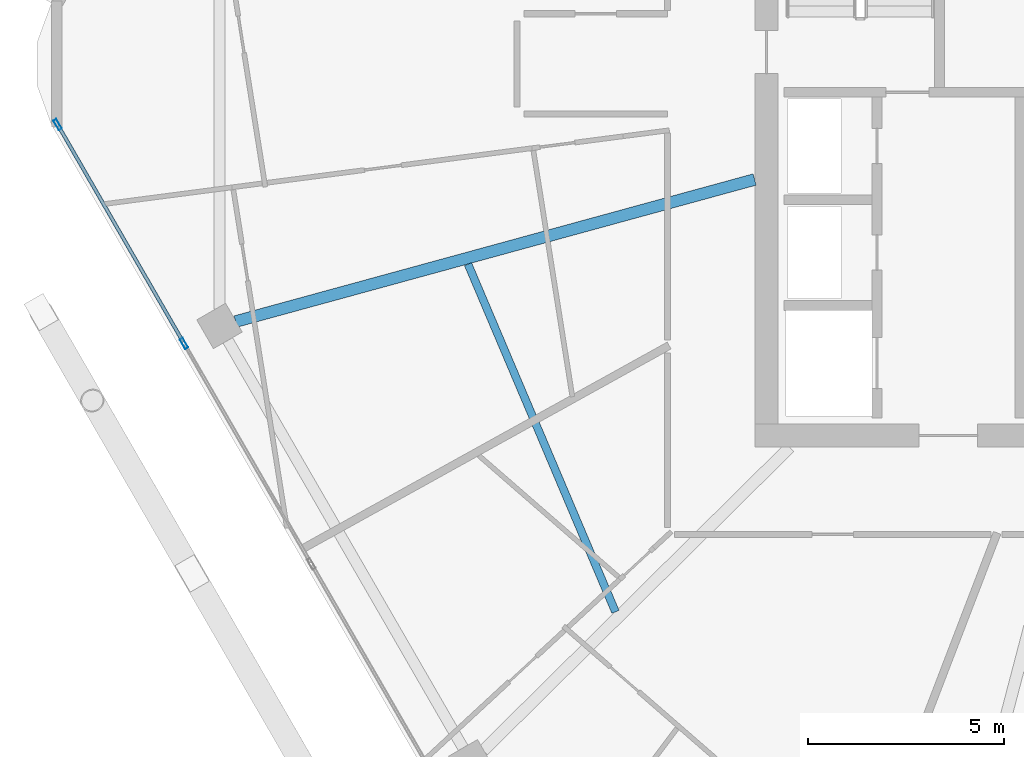
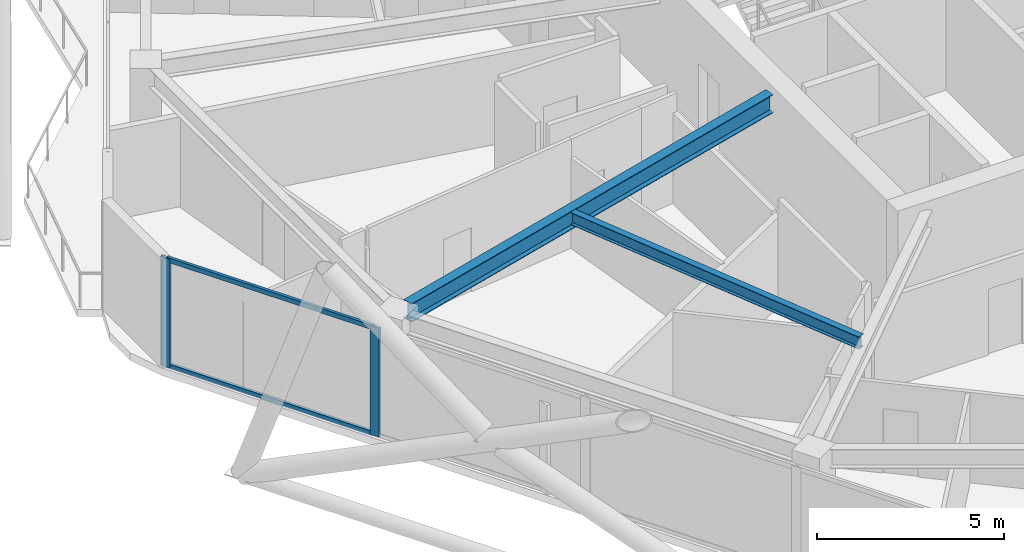
# One storey, part 6 of 29: 4 members, 2 beams, 1 element without a shape of its own.
"""IFC4 building model written with IfcOpenShell, lengths in metres."""

import ifcopenshell
import ifcopenshell.guid

model = None  # the IFC model being written
_history = None  # IfcOwnerHistory: only IFC2X3 demands one
_inside = {}  # id of a spatial element -> (the spatial element, [elements in it])
_under = {}  # id of a project, library or spatial element -> (it, [spatial elements below it])
_declared = {}  # id of a project -> (the project, [libraries it declares])
_typed = {}  # id of a type object -> (the type object, [elements of that type])
_made_of = {}  # id of a material, layer set ... -> (it, [elements and type objects made of it])


def new_model(schema):
    """Start an empty IFC model of exactly this schema.

    Asked for "IFC4X3", IfcOpenShell would pick the latest addendum, in which some entities
    have other attributes; the version numbers below select the first issue.
    IFC2X3 requires an IfcOwnerHistory on every rooted entity: one is made here for all.
    """
    global model, _history
    if schema == "IFC4X3":
        model = ifcopenshell.file(schema_version=(4, 3, 0, 0))
    else:
        model = ifcopenshell.file(schema=schema)
    _inside.clear()
    _under.clear()
    _declared.clear()
    _typed.clear()
    _made_of.clear()
    _history = None
    if model.schema == "IFC2X3":
        org = make("IfcOrganization", Name="unknown")
        user = make(
            "IfcPersonAndOrganization",
            ThePerson=make("IfcPerson", FamilyName="unknown"),
            TheOrganization=org,
        )
        app = make(
            "IfcApplication",
            ApplicationDeveloper=org,
            Version="unknown",
            ApplicationFullName="unknown",
            ApplicationIdentifier="unknown",
        )
        _history = make(
            "IfcOwnerHistory",
            OwningUser=user,
            OwningApplication=app,
            ChangeAction="ADDED",
            CreationDate=0,
        )
    return model


def make(cls, **values):
    """One entity of the class cls with the attributes given. An attribute that is None is left unset."""
    return model.create_entity(
        cls, **{name: value for name, value in values.items() if value is not None}
    )


def rooted(cls, **values):
    """An entity with a GlobalId (a new one), such as an element, a storey or a relation."""
    return make(cls, GlobalId=ifcopenshell.guid.new(), OwnerHistory=_history, **values)


def si_unit(unit_type, name, prefix=None):
    """IfcSIUnit, for example si_unit("LENGTHUNIT", "METRE", prefix="MILLI")."""
    return make("IfcSIUnit", UnitType=unit_type, Prefix=prefix, Name=name)


def assignment(units):
    """IfcUnitAssignment: the units of a project."""
    return None if units is None else make("IfcUnitAssignment", Units=units)


def point(xyz):
    """IfcCartesianPoint."""
    return None if xyz is None else make("IfcCartesianPoint", Coordinates=xyz)


def direction(xyz):
    """IfcDirection."""
    return None if xyz is None else make("IfcDirection", DirectionRatios=xyz)


def frame(location, z_axis=None, x_axis=None):
    """IfcAxis2Placement3D, a coordinate frame: its origin and axes. An axis left out is left unset."""
    return make(
        "IfcAxis2Placement3D",
        Location=point(location),
        Axis=direction(z_axis),
        RefDirection=direction(x_axis),
    )


def frame_2d(location, x_axis=None):
    """IfcAxis2Placement2D, a coordinate frame in the plane: its origin and x axis."""
    return make(
        "IfcAxis2Placement2D", Location=point(location), RefDirection=direction(x_axis)
    )


def origin():
    """The frame at (0, 0, 0) with its axes left unset."""
    return frame((0.0, 0.0, 0.0))


def origin_2d():
    """The frame at (0, 0) in the plane with its x axis left unset."""
    return frame_2d((0.0, 0.0))


def place(relative_to, where):
    """IfcLocalPlacement: puts the frame where relative to a parent placement (None: the world)."""
    return make(
        "IfcLocalPlacement", PlacementRelTo=relative_to, RelativePlacement=where
    )


def context(
    kind, dimensions, precision=None, world=None, true_north=None, identifier=None
):
    """IfcGeometricRepresentationContext, for example the 3D "Model" context."""
    return make(
        "IfcGeometricRepresentationContext",
        ContextIdentifier=identifier,
        ContextType=kind,
        CoordinateSpaceDimension=dimensions,
        Precision=precision,
        WorldCoordinateSystem=world,
        TrueNorth=true_north,
    )


def subcontext(parent, identifier, kind, view, scale=None):
    """IfcGeometricRepresentationSubContext, for example "Body" below "Model"."""
    return make(
        "IfcGeometricRepresentationSubContext",
        ContextIdentifier=identifier,
        ContextType=kind,
        ParentContext=parent,
        TargetScale=scale,
        TargetView=view,
    )


def project(units=None, contexts=None):
    """IfcProject with its units and contexts."""
    return rooted(
        "IfcProject",
        Name="project",
        RepresentationContexts=contexts,
        UnitsInContext=assignment(units),
    )


def spatial(cls, under=None, at=None, **own):
    """A site, building, storey or space (cls), placed at a placement, below another one or the project."""
    s = rooted(cls, ObjectPlacement=at, **own)
    if under is not None:
        _under.setdefault(under.id(), (under, []))[1].append(s)
    return s


def profile(cls, at=None, kind="AREA", **sizes):
    """A parametric profile (cls). Its sizes go by their IFC names, for example OverallWidth=200.0."""
    return make(cls, ProfileType=kind, Position=at, **sizes)


def hollow_rectangle(**sizes):
    """IfcRectangleHollowProfileDef."""
    return profile("IfcRectangleHollowProfileDef", **sizes)


def i_section(**sizes):
    """IfcIShapeProfileDef."""
    return profile("IfcIShapeProfileDef", **sizes)


def extrude(swept, where, along, depth):
    """IfcExtrudedAreaSolid: the profile swept, set in the frame where, extruded along a direction by depth."""
    return make(
        "IfcExtrudedAreaSolid",
        SweptArea=swept,
        Position=where,
        ExtrudedDirection=direction(along),
        Depth=depth,
    )


def shape(context_of_items, identifier, shape_type, items):
    """IfcShapeRepresentation: the items that make up one representation, for example the "Body"."""
    return make(
        "IfcShapeRepresentation",
        ContextOfItems=context_of_items,
        RepresentationIdentifier=identifier,
        RepresentationType=shape_type,
        Items=items,
    )


def material(Name=None, Category=None):
    """IfcMaterial."""
    return make("IfcMaterial", Name=Name, Category=Category)


def material_profile(
    of_material, cross_section, Name=None, Category=None, Priority=None
):
    """IfcMaterialProfile: a cross section and its material."""
    return make(
        "IfcMaterialProfile",
        Name=Name,
        Material=of_material,
        Profile=cross_section,
        Priority=Priority,
        Category=Category,
    )


def profile_set(profiles, Name=None, composite=None):
    """IfcMaterialProfileSet."""
    return make(
        "IfcMaterialProfileSet",
        Name=Name,
        MaterialProfiles=profiles,
        CompositeProfile=composite,
    )


def made_of(thing, what):
    """Note that an element or type object is made of a material, layer set ...; save() writes the relation."""
    if what is not None:
        _made_of.setdefault(what.id(), (what, []))[1].append(thing)
    return thing


def type_object(cls, material=None, **own):
    """A type object (cls), such as IfcWallType, which elements share."""
    return made_of(rooted(cls, **own), material)


def element(
    cls,
    number,
    at=None,
    inside=None,
    cuts=None,
    type_object=None,
    material=None,
    context=None,
    identifier="Body",
    shape_type=None,
    held_by="IfcProductDefinitionShape",
    body=None,
    shapes=None,
    **own,
):
    """One element of the class cls, such as IfcWall. Its Tag is "e" and its number.

    at: its placement. inside: the storey or other place that contains it. cuts: it is an
    opening in that element (IfcRelVoidsElement). A single representation is given by context,
    identifier, shape_type and body (its items); several are given by shapes. held_by: the class
    of the entity that holds the representations. save() writes the other relations.
    """
    e = rooted(cls, Tag="e%d" % number, ObjectPlacement=at, **own)
    if body is not None:
        shapes = [shape(context, identifier, shape_type, body)]
    if shapes is not None:
        e.Representation = make(held_by, Representations=shapes)
    if inside is not None:
        _inside.setdefault(inside.id(), (inside, []))[1].append(e)
    if cuts is not None:
        rooted(
            "IfcRelVoidsElement", RelatingBuildingElement=cuts, RelatedOpeningElement=e
        )
    if type_object is not None:
        _typed.setdefault(type_object.id(), (type_object, []))[1].append(e)
    return made_of(e, material)


def aggregate(whole, parts):
    """IfcRelAggregates: a whole, such as a stair, and the parts it consists of."""
    return rooted("IfcRelAggregates", RelatingObject=whole, RelatedObjects=parts)


def save(model, path):
    """Write the relations noted so far, then the file.

    IfcRelAggregates (storeys below a building ...), IfcRelContainedInSpatialStructure (elements
    in a storey), IfcRelDefinesByType, IfcRelAssociatesMaterial and IfcRelDeclares: one each for
    every whole, place, type object, material and project.
    """
    for whole, parts in _under.values():
        aggregate(whole, parts)
    for where, things in _inside.values():
        rooted(
            "IfcRelContainedInSpatialStructure",
            RelatedElements=things,
            RelatingStructure=where,
        )
    for kind, things in _typed.values():
        rooted("IfcRelDefinesByType", RelatedObjects=things, RelatingType=kind)
    for what, things in _made_of.values():
        rooted("IfcRelAssociatesMaterial", RelatedObjects=things, RelatingMaterial=what)
    for by, libraries in _declared.values():
        rooted("IfcRelDeclares", RelatingContext=by, RelatedDefinitions=libraries)
    model.write(path)


model = new_model("IFC4")

# Units and contexts
model_context = context("Model", 3, precision=1e-05, world=origin(), true_north=direction((0.0, 1.0)))
body_context = subcontext(model_context, "Body", "Model", "MODEL_VIEW")
ifc_project = project(units=[si_unit("LENGTHUNIT", "METRE"), si_unit("AREAUNIT", "SQUARE_METRE"), si_unit("VOLUMEUNIT", "CUBIC_METRE"), si_unit("PLANEANGLEUNIT", "RADIAN"), si_unit("MASSUNIT", "GRAM", prefix="KILO")], contexts=[model_context])

# Site, building, storey
site_placement = place(None, origin())
site = spatial("IfcSite", under=ifc_project, at=site_placement, CompositionType="ELEMENT")
building_placement = place(site_placement, origin())
building = spatial("IfcBuilding", under=site, at=building_placement, Name="Zuhravey Tower", CompositionType="ELEMENT")
storey_placement = place(building_placement, frame((0.0, 0.0, 292.0)))
storey = spatial("IfcBuildingStorey", under=building, at=storey_placement, Name="L74", CompositionType="ELEMENT", Elevation=292.0)

# Curtain wall, members
ifc_material_1 = material(Name="Thermally broken anodised aluminium", Category="aluminium")
curtain_wall_type = type_object("IfcCurtainWallType", Name="Zone 3-4 High-Rise Curtain Wall CW4", PredefinedType="NOTDEFINED", material=ifc_material_1)
curtain_wall_placement = place(storey_placement, origin())
curtain_wall = element("IfcCurtainWall", 1, at=curtain_wall_placement, inside=storey, type_object=curtain_wall_type, Name="L74 CW4 CW-L74-F4-1", PredefinedType="NOTDEFINED")
ifc_material_2 = material(Name="Anodised aluminium", Category="aluminium")
ifc_material_profile_1 = material_profile(ifc_material_2, hollow_rectangle(XDim=0.090087890625, YDim=0.284912109375, WallThickness=0.0048828125, at=origin_2d()), Name="ALU-RHS-90x285x5")
ifc_profile_set_1 = profile_set([ifc_material_profile_1], Name="Anodised aluminium")
member_type_1 = type_object("IfcMemberType", Name="Curtain-Wall Mullion 90x180", PredefinedType="MULLION", material=ifc_profile_set_1)
member_1_placement = place(storey_placement, frame((10.608154296875, 24.852783203125, 0.0), z_axis=(0.0, 0.0, 1.0), x_axis=(-0.866024851021, -0.500000957414, 0.0)))
member_1 = element("IfcMember", 2, at=member_1_placement, type_object=member_type_1, Name="CW4 mullion 4", PredefinedType="MULLION", context=body_context, shape_type="SweptSolid", body=[
    extrude(hollow_rectangle(XDim=0.090087890625, YDim=0.284912109375, WallThickness=0.0048828125, at=origin_2d()), origin(), (0.0, 0.0, 1.0), 3.550048828125),
])
member_2_placement = place(storey_placement, frame((7.37744140625, 30.448486328125, 0.0), z_axis=(0.0, 0.0, 1.0), x_axis=(-0.866024851021, -0.500000957414, 0.0)))
member_2 = element("IfcMember", 3, at=member_2_placement, type_object=member_type_1, Name="CW4 mullion 5", PredefinedType="MULLION", context=body_context, shape_type="SweptSolid", body=[
    extrude(hollow_rectangle(XDim=0.090087890625, YDim=0.284912109375, WallThickness=0.0048828125, at=origin_2d()), origin(), (0.0, 0.0, 1.0), 3.550048828125),
])
ifc_material_profile_2 = material_profile(ifc_material_2, hollow_rectangle(XDim=0.090087890625, YDim=0.14990234375, WallThickness=0.0048828125, at=origin_2d()), Name="ALU-RHS-90x150x5")
ifc_profile_set_2 = profile_set([ifc_material_profile_2], Name="Anodised aluminium")
member_type_2 = type_object("IfcMemberType", Name="Curtain-Wall Transom 90x150", PredefinedType="USERDEFINED", material=ifc_profile_set_2)
member_3_placement = place(storey_placement, frame((10.585693359375, 24.891845703125, 0.044921875), z_axis=(-0.500008810174, 0.866020317169, 0.0), x_axis=(-0.866020317169, -0.500008810174, 0.0)))
member_3 = element("IfcMember", 4, at=member_3_placement, type_object=member_type_2, Name="CW4 transom 4.1", ObjectType="TRANSOM", PredefinedType="USERDEFINED", context=body_context, shape_type="SweptSolid", body=[
    extrude(hollow_rectangle(XDim=0.090087890625, YDim=0.14990234375, WallThickness=0.0048828125, at=origin_2d()), origin(), (0.0, 0.0, 1.0), 6.37158203125),
])
member_4_placement = place(storey_placement, frame((10.585693359375, 24.891845703125, 3.5048828125), z_axis=(-0.500008810174, 0.866020317169, 0.0), x_axis=(-0.866020317169, -0.500008810174, 0.0)))
member_4 = element("IfcMember", 5, at=member_4_placement, type_object=member_type_2, Name="CW4 transom 4.2", ObjectType="TRANSOM", PredefinedType="USERDEFINED", context=body_context, shape_type="SweptSolid", body=[
    extrude(hollow_rectangle(XDim=0.090087890625, YDim=0.14990234375, WallThickness=0.0048828125, at=origin_2d()), origin(), (0.0, 0.0, 1.0), 6.37158203125),
])
aggregate(curtain_wall, [member_1, member_2, member_3, member_4])

# Beams
ifc_material_3 = material(Name="Steel SM355", Category="steel")
ifc_material_profile_3 = material_profile(ifc_material_3, i_section(OverallWidth=0.300048828125, OverallDepth=0.60009765625, WebThickness=0.011962890625, FlangeThickness=0.02001953125, at=origin_2d()), Name="H-600x300x12x20")
ifc_profile_set_3 = profile_set([ifc_material_profile_3], Name="Steel SM355")
beam_type_1 = type_object("IfcBeamType", Name="Radial Primary Girder H600x300", PredefinedType="BEAM", material=ifc_profile_set_3)
beam_1_placement = place(storey_placement, frame((25.197021484375, 29.04443359375, 3.25), z_axis=(-0.964549305009, -0.263902705947, 0.0), x_axis=(0.263902705947, -0.964549305009, 0.0)))
element("IfcBeam", 6, at=beam_1_placement, inside=storey, type_object=beam_type_1, Name="L74 RG3 BM-L74-RAD-07", PredefinedType="BEAM", context=body_context, shape_type="SweptSolid", body=[
    extrude(i_section(OverallWidth=0.300048828125, OverallDepth=0.60009765625, WebThickness=0.011962890625, FlangeThickness=0.02001953125, at=origin_2d()), origin(), (0.0, 0.0, 1.0), 13.756591796875),
])
ifc_material_profile_4 = material_profile(ifc_material_3, i_section(OverallWidth=0.199951171875, OverallDepth=0.39990234375, WebThickness=0.008056640625, FlangeThickness=0.012939453125, at=origin_2d()), Name="H-400x200x8x13")
ifc_profile_set_4 = profile_set([ifc_material_profile_4], Name="Steel SM355")
beam_type_2 = type_object("IfcBeamType", Name="Secondary Floor Joist H400x200", PredefinedType="JOIST", material=ifc_profile_set_4)
beam_2_placement = place(storey_placement, frame((17.869140625, 26.881103515625, 3.35009765625), z_axis=(0.390413493754, -0.920639616731, 0.0), x_axis=(0.920639616731, 0.390413493754, 0.0)))
element("IfcBeam", 7, at=beam_2_placement, inside=storey, type_object=beam_type_2, Name="L74 SJ2 BM-L74-SJ-07-1", PredefinedType="JOIST", context=body_context, shape_type="SweptSolid", body=[
    extrude(i_section(OverallWidth=0.199951171875, OverallDepth=0.39990234375, WebThickness=0.008056640625, FlangeThickness=0.012939453125, at=origin_2d()), origin(), (0.0, 0.0, 1.0), 9.656494140625),
])

save(model, "model.ifc")
